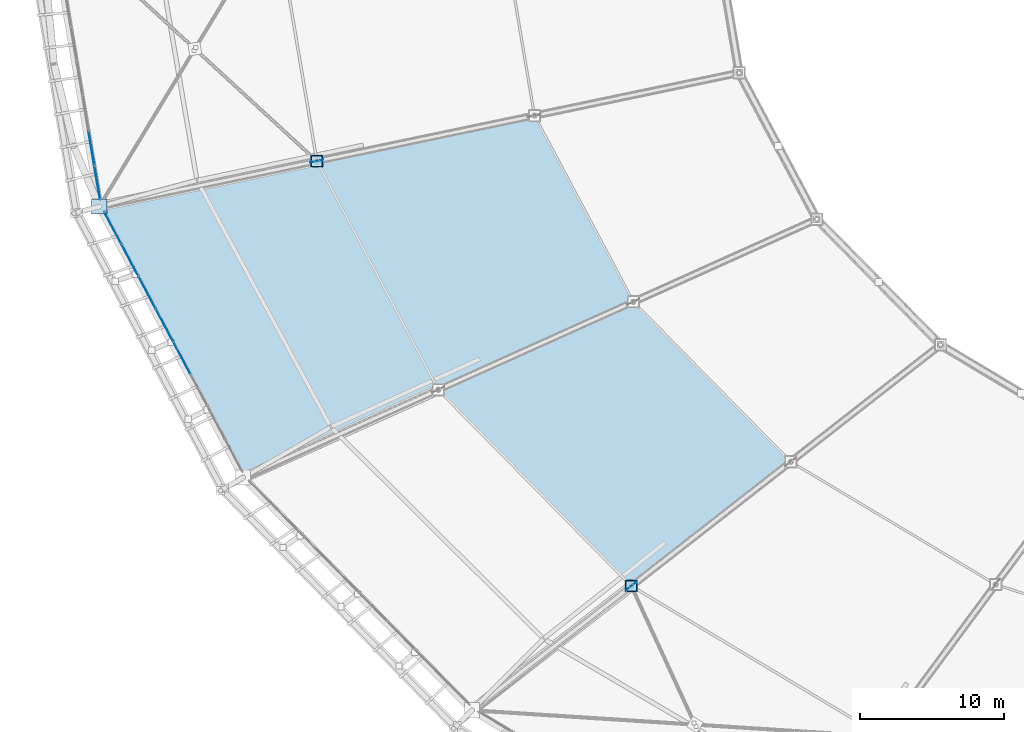
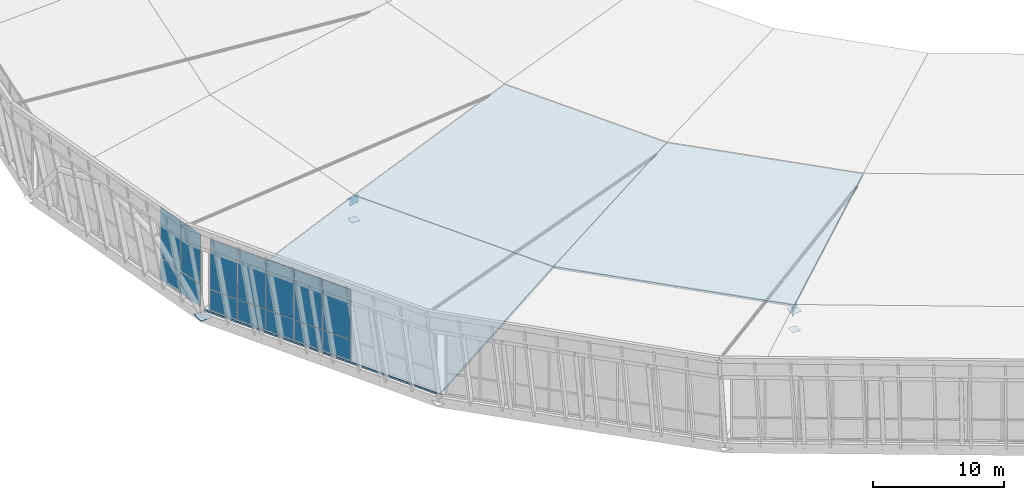
# One storey, part 80 of 115: 21 plates, 3 slabs, 3 elements without a shape of their own.
"""IFC4 building model written with IfcOpenShell, lengths in metres."""

from ifc_helpers import new_model, si_unit, direction, frame, origin, origin_2d, place, context, subcontext, project, spatial, polyline, rectangle, outline, extrude, material, layer, layer_set, type_object, element, aggregate, save


model = new_model("IFC4")

# Units and contexts
model_context = context("Model", 3, precision=1e-05, world=origin(), true_north=direction((0.0, 1.0)))
body_context = subcontext(model_context, "Body", "Model", "MODEL_VIEW")
ifc_project = project(units=[si_unit("LENGTHUNIT", "METRE"), si_unit("AREAUNIT", "SQUARE_METRE"), si_unit("VOLUMEUNIT", "CUBIC_METRE"), si_unit("PLANEANGLEUNIT", "RADIAN"), si_unit("MASSUNIT", "GRAM", prefix="KILO")], contexts=[model_context])

# Site, building, storey
site_placement = place(None, origin())
site = spatial("IfcSite", under=ifc_project, at=site_placement, CompositionType="ELEMENT")
building_placement = place(site_placement, origin())
building = spatial("IfcBuilding", under=site, at=building_placement, Name="Zlatoyarsky Gate Stadium", CompositionType="ELEMENT")
storey_placement = place(building_placement, frame((0.0, 0.0, 31.800048828125)))
storey = spatial("IfcBuildingStorey", under=building, at=storey_placement, Name="RF", CompositionType="ELEMENT", Elevation=31.800048828125)

# Curtain wall, plates
ifc_material_1 = material(Name="Thermally broken anodised aluminium curtain wall", Category="aluminium")
curtain_wall_type_1 = type_object("IfcCurtainWallType", Name="MONUMENTAL ARCHED GATE GLAZING UPPER", PredefinedType="USERDEFINED", material=ifc_material_1)
curtain_wall_1_placement = place(storey_placement, origin())
curtain_wall_1 = element("IfcCurtainWall", 1, at=curtain_wall_1_placement, inside=storey, type_object=curtain_wall_type_1, Name="Curtain wall CW-RF-12", ObjectType="ARCHED GATE GLAZING", PredefinedType="USERDEFINED")
ifc_material_2 = material(Name="Triple-glazed argon low-e architectural glass", Category="glass")
ifc_layer_1 = layer(ifc_material_2, 0.0458984375)
ifc_layer_set_1 = layer_set([ifc_layer_1], Name="Triple-glazed argon low-e architectural glass")
plate_type_1 = type_object("IfcPlateType", Name="ACOUSTIC LAMINATED GATE GLAZING PANEL 46", PredefinedType="CURTAIN_PANEL", material=ifc_layer_set_1)
plate_1_placement = place(storey_placement, frame((13.836181640625, 63.867431640625, 0.074951171875), z_axis=(0.0, 0.0, 1.0), x_axis=(0.166482179311, -0.986044463486, 0.0)))
plate_1 = element("IfcPlate", 2, at=plate_1_placement, type_object=plate_type_1, Name="CW-AG2 panel 7.1", PredefinedType="CURTAIN_PANEL", context=body_context, shape_type="SweptSolid", body=[
    extrude(rectangle(XDim=2.380615234375, YDim=0.0458984375, at=origin_2d()), origin(), (0.0, 0.0, 1.0), 2.03759765625),
])
plate_2_placement = place(storey_placement, frame((13.836181640625, 63.867431640625, 2.1875), z_axis=(0.0, 0.0, 1.0), x_axis=(0.166482179311, -0.986044463486, 0.0)))
plate_2 = element("IfcPlate", 3, at=plate_2_placement, type_object=plate_type_1, Name="CW-AG2 panel 7.2", PredefinedType="CURTAIN_PANEL", context=body_context, shape_type="SweptSolid", body=[
    extrude(rectangle(XDim=2.380615234375, YDim=0.0458984375, at=origin_2d()), origin(), (0.0, 0.0, 1.0), 4.637451171875),
])
plate_3_placement = place(storey_placement, frame((14.241943359375, 61.464599609375, 0.074951171875), z_axis=(0.0, 0.0, 1.0), x_axis=(0.166482179311, -0.986044463486, 0.0)))
plate_3 = element("IfcPlate", 4, at=plate_3_placement, type_object=plate_type_1, Name="CW-AG2 panel 8.1", PredefinedType="CURTAIN_PANEL", context=body_context, shape_type="SweptSolid", body=[
    extrude(rectangle(XDim=2.343017578125, YDim=0.0458984375, at=origin_2d()), origin(), (0.0, 0.0, 1.0), 2.03759765625),
])
plate_4_placement = place(storey_placement, frame((14.241943359375, 61.464599609375, 2.1875), z_axis=(0.0, 0.0, 1.0), x_axis=(0.166482179311, -0.986044463486, 0.0)))
plate_4 = element("IfcPlate", 5, at=plate_4_placement, type_object=plate_type_1, Name="CW-AG2 panel 8.2", PredefinedType="CURTAIN_PANEL", context=body_context, shape_type="SweptSolid", body=[
    extrude(rectangle(XDim=2.343017578125, YDim=0.0458984375, at=origin_2d()), origin(), (0.0, 0.0, 1.0), 4.637451171875),
])
aggregate(curtain_wall_1, [plate_1, plate_2, plate_3, plate_4])

# Roof, slabs
ifc_material_3 = material(Name="Standing-seam aluminium-zinc roofing with mineral wool insulation", Category="aluminium")
ifc_layer_2 = layer(ifc_material_3, 0.080078125)
ifc_layer_set_2 = layer_set([ifc_layer_2], Name="Standing-seam aluminium-zinc roofing with mineral wool insulation")
roof_type = type_object("IfcRoofType", Name="STADIUM BARREL VAULT ROOF ASSEMBLY", PredefinedType="BARREL_ROOF", material=ifc_layer_set_2)
roof_placement = place(storey_placement, origin())
roof = element("IfcRoof", 6, at=roof_placement, inside=storey, type_object=roof_type, Name="Stadium barrel arch roof sector 5", PredefinedType="BARREL_ROOF")
ifc_material_4 = material(Name="Concrete C40/50", Category="concrete")
ifc_layer_3 = layer(ifc_material_4, 0.199951171875)
ifc_layer_set_3 = layer_set([ifc_layer_3], Name="Concrete C40/50")
slab_type = type_object("IfcSlabType", Name="COMPOSITE STADIUM ROOF DECK SLAB 200", PredefinedType="ROOF", material=ifc_layer_set_3)
slab_1_placement = place(storey_placement, frame((14.380859375, 59.804931640625, 0.199951171875), z_axis=(-0.197393520935, -0.104815476231, 0.974704834212), x_axis=(0.468978328534, -0.8832096735, -7.78726e-07)))
slab_1 = element("IfcSlab", 7, at=slab_1_placement, type_object=slab_type, Name="Stadium arched roof deck sector 13 bay 1", PredefinedType="ROOF", context=body_context, shape_type="SweptSolid", body=[
    extrude(outline(polyline([(0.0, 0.0), (21.30733667960491, -3.552713678800501e-15), (22.272037155518145, 15.212437205781285), (4.297197083498218, 15.212300335087063), (0.0, 0.0)])), origin(), (0.0, 0.0, -1.0), 0.199951171875),
])
slab_2_placement = place(storey_placement, frame((29.491943359375, 62.96337890625, 3.599853515625), z_axis=(-0.183541042483, -0.097459660481, 0.97816885061), x_axis=(0.46898487922, -0.883206195099, 1.019999e-06)))
slab_2 = element("IfcSlab", 8, at=slab_2_placement, type_object=slab_type, Name="Stadium arched roof deck sector 13 bay 2", PredefinedType="ROOF", context=body_context, shape_type="SweptSolid", body=[
    extrude(outline(polyline([(0.0, 0.0), (17.97484007253932, 0.0), (18.939656384642074, 15.15856553760574), (4.297211790298488, 15.158725632562989), (0.0, 0.0)])), origin(), (0.0, 0.0, -1.0), 0.199951171875),
])
slab_3_placement = place(storey_placement, frame((37.921875, 47.087890625, 3.599853515625), z_axis=(-0.157163436364, -0.154599522261, 0.975396658794), x_axis=(0.701267503741, -0.712898231304, -1.1819e-07)))
slab_3 = element("IfcSlab", 9, at=slab_3_placement, type_object=slab_type, Name="Stadium arched roof deck sector 14 bay 2", PredefinedType="ROOF", context=body_context, shape_type="SweptSolid", body=[
    extrude(outline(polyline([(0.0, 0.0), (19.122740669748183, 0.0), (20.72863479855162, 14.289166108712909), (5.151042927889645, 14.289147505340267), (0.0, 0.0)])), origin(), (0.0, 0.0, -1.0), 0.199951171875),
])
aggregate(roof, [slab_1, slab_2, slab_3])

# Plates
ifc_material_5 = material(Name="Steel S355", Category="steel")
ifc_layer_4 = layer(ifc_material_5, 0.02392578125)
ifc_layer_set_4 = layer_set([ifc_layer_4], Name="Steel S355")
plate_type_2 = type_object("IfcPlateType", Name="STEEL COMPRESSION RING NODE CAP SHEET 24", PredefinedType="SHEET", material=ifc_layer_set_4)
plate_5_placement = place(storey_placement, frame((14.380859375, 59.804931640625, -0.4619140625), z_axis=(0.0, 0.0, 1.0), x_axis=(1.0, 0.0, 0.0)))
element("IfcPlate", 10, at=plate_5_placement, inside=storey, type_object=plate_type_2, Name="Node closure plate ND-CR1 NCAP-CR-13", PredefinedType="SHEET", context=body_context, shape_type="SweptSolid", body=[
    extrude(rectangle(XDim=1.050048828125, YDim=1.050048828125, at=origin_2d()), origin(), (0.0, 0.0, 1.0), 0.02392578125),
])
ifc_layer_5 = layer(ifc_material_5, 0.02392578125)
ifc_layer_set_5 = layer_set([ifc_layer_5], Name="Steel S355")
plate_type_3 = type_object("IfcPlateType", Name="STEEL HOLLOW CHORD SPLICE SHEET 24", PredefinedType="SHEET", material=ifc_layer_set_5)
plate_6_placement = place(storey_placement, frame((29.491943359375, 62.96337890625, 3.137939453125), z_axis=(0.0, 0.0, 1.0), x_axis=(1.0, 0.0, 0.0)))
element("IfcPlate", 11, at=plate_6_placement, inside=storey, type_object=plate_type_3, Name="Node closure plate ND-SP1 NCAP-TCH-13-1", PredefinedType="SHEET", context=body_context, shape_type="SweptSolid", body=[
    extrude(rectangle(XDim=0.85009765625, YDim=0.85009765625, at=origin_2d()), origin(), (0.0, 0.0, 1.0), 0.02392578125),
])
plate_7_placement = place(storey_placement, frame((29.491943359375, 62.96337890625, 1.337890625), z_axis=(0.0, 0.0, 1.0), x_axis=(1.0, 0.0, 0.0)))
element("IfcPlate", 12, at=plate_7_placement, inside=storey, type_object=plate_type_3, Name="Node closure plate ND-SP1 NCAP-BCH-13-1", PredefinedType="SHEET", context=body_context, shape_type="SweptSolid", body=[
    extrude(rectangle(XDim=0.719970703125, YDim=0.719970703125, at=origin_2d()), origin(), (0.0, 0.0, 1.0), 0.02392578125),
])
plate_8_placement = place(storey_placement, frame((51.33203125, 33.455322265625, 3.137939453125), z_axis=(0.0, 0.0, 1.0), x_axis=(1.0, 0.0, 0.0)))
element("IfcPlate", 13, at=plate_8_placement, inside=storey, type_object=plate_type_3, Name="Node closure plate ND-SP1 NCAP-TCH-15-1", PredefinedType="SHEET", context=body_context, shape_type="SweptSolid", body=[
    extrude(rectangle(XDim=0.85009765625, YDim=0.85009765625, at=origin_2d()), origin(), (0.0, 0.0, 1.0), 0.02392578125),
])
plate_9_placement = place(storey_placement, frame((51.33203125, 33.455322265625, 1.337890625), z_axis=(0.0, 0.0, 1.0), x_axis=(1.0, 0.0, 0.0)))
element("IfcPlate", 14, at=plate_9_placement, inside=storey, type_object=plate_type_3, Name="Node closure plate ND-SP1 NCAP-BCH-15-1", PredefinedType="SHEET", context=body_context, shape_type="SweptSolid", body=[
    extrude(rectangle(XDim=0.719970703125, YDim=0.719970703125, at=origin_2d()), origin(), (0.0, 0.0, 1.0), 0.02392578125),
])
ifc_layer_6 = layer(ifc_material_5, 0.031982421875)
ifc_layer_set_6 = layer_set([ifc_layer_6], Name="Steel S355")
plate_type_4 = type_object("IfcPlateType", Name="STEEL RADIAL TRUSS GUSSET PLATE 32", PredefinedType="USERDEFINED", material=ifc_layer_set_6)
for number, where, z_axis, x_axis, name in (
    (15, (29.491943359375, 62.96337890625, 2.7900390625), (0.0, 0.0, 1.0), (0.97884666261, 0.204595237232, 0.0), "Radial truss gusset plate ND-WB1 13.1"),
    (16, (51.33203125, 33.455322265625, 2.7900390625), (0.0, 0.0, 1.0), (0.788479093296, 0.615061557436, 0.0), "Radial truss gusset plate ND-WB1 15.1"),
):
    element("IfcPlate", number, at=place(storey_placement, frame(where, z_axis=z_axis, x_axis=x_axis)), inside=storey, type_object=plate_type_4, Name=name, ObjectType="GUSSET PLATE", PredefinedType="USERDEFINED", context=body_context, shape_type="SweptSolid", body=[
        extrude(rectangle(XDim=0.919921875, YDim=0.031982421875, at=origin_2d()), origin(), (0.0, 0.0, 1.0), 0.719970703125),
    ])

# Curtain wall, plates
curtain_wall_type_2 = type_object("IfcCurtainWallType", Name="UNITISED SKYBOX RING GLAZING L05", PredefinedType="USERDEFINED", material=ifc_material_1)
curtain_wall_2_placement = place(storey_placement, origin())
curtain_wall_2 = element("IfcCurtainWall", 17, at=curtain_wall_2_placement, inside=storey, type_object=curtain_wall_type_2, Name="Curtain wall CW-RF-13", ObjectType="UNITISED GLAZING", PredefinedType="USERDEFINED")
ifc_layer_7 = layer(ifc_material_2, 0.0380859375)
ifc_layer_set_7 = layer_set([ifc_layer_7], Name="Triple-glazed argon low-e architectural glass")
plate_type_5 = type_object("IfcPlateType", Name="TRIPLE GLAZED LOW E CURTAIN PANEL 38", PredefinedType="CURTAIN_PANEL", material=ifc_layer_set_7)
plate_10_placement = place(storey_placement, frame((15.3115234375, 58.34375, 0.06494140625), z_axis=(0.0, 0.0, 1.0), x_axis=(0.469126652345, -0.883130898599, 0.0)))
plate_10 = element("IfcPlate", 18, at=plate_10_placement, type_object=plate_type_5, Name="CW-UG5 panel 1.1", PredefinedType="CURTAIN_PANEL", context=body_context, shape_type="SweptSolid", body=[
    extrude(rectangle(XDim=2.46142578125, YDim=0.0380859375, at=origin_2d()), origin(), (0.0, 0.0, 1.0), 2.052490234375),
])
plate_11_placement = place(storey_placement, frame((15.3115234375, 58.34375, 2.1826171875), z_axis=(0.0, 0.0, 1.0), x_axis=(0.469126652345, -0.883130898599, 0.0)))
plate_11 = element("IfcPlate", 19, at=plate_11_placement, type_object=plate_type_5, Name="CW-UG5 panel 1.2", PredefinedType="CURTAIN_PANEL", context=body_context, shape_type="SweptSolid", body=[
    extrude(rectangle(XDim=2.46142578125, YDim=0.0380859375, at=origin_2d()), origin(), (0.0, 0.0, 1.0), 4.652587890625),
])
plate_12_placement = place(storey_placement, frame((16.50439453125, 56.09814453125, 0.06494140625), z_axis=(0.0, 0.0, 1.0), x_axis=(0.469126652345, -0.883130898599, 0.0)))
plate_12 = element("IfcPlate", 20, at=plate_12_placement, type_object=plate_type_5, Name="CW-UG5 panel 2.1", PredefinedType="CURTAIN_PANEL", context=body_context, shape_type="SweptSolid", body=[
    extrude(rectangle(XDim=2.493896484375, YDim=0.0380859375, at=origin_2d()), origin(), (0.0, 0.0, 1.0), 2.052490234375),
])
plate_13_placement = place(storey_placement, frame((16.50439453125, 56.09814453125, 2.1826171875), z_axis=(0.0, 0.0, 1.0), x_axis=(0.469126652345, -0.883130898599, 0.0)))
plate_13 = element("IfcPlate", 21, at=plate_13_placement, type_object=plate_type_5, Name="CW-UG5 panel 2.2", PredefinedType="CURTAIN_PANEL", context=body_context, shape_type="SweptSolid", body=[
    extrude(rectangle(XDim=2.493896484375, YDim=0.0380859375, at=origin_2d()), origin(), (0.0, 0.0, 1.0), 4.652587890625),
])
plate_14_placement = place(storey_placement, frame((17.704833984375, 53.83837890625, 0.06494140625), z_axis=(0.0, 0.0, 1.0), x_axis=(0.469126652345, -0.883130898599, 0.0)))
plate_14 = element("IfcPlate", 22, at=plate_14_placement, type_object=plate_type_5, Name="CW-UG5 panel 3.1", PredefinedType="CURTAIN_PANEL", context=body_context, shape_type="SweptSolid", body=[
    extrude(rectangle(XDim=2.493896484375, YDim=0.0380859375, at=origin_2d()), origin(), (0.0, 0.0, 1.0), 2.052490234375),
])
plate_15_placement = place(storey_placement, frame((17.704833984375, 53.83837890625, 2.1826171875), z_axis=(0.0, 0.0, 1.0), x_axis=(0.469126652345, -0.883130898599, 0.0)))
plate_15 = element("IfcPlate", 23, at=plate_15_placement, type_object=plate_type_5, Name="CW-UG5 panel 3.2", PredefinedType="CURTAIN_PANEL", context=body_context, shape_type="SweptSolid", body=[
    extrude(rectangle(XDim=2.493896484375, YDim=0.0380859375, at=origin_2d()), origin(), (0.0, 0.0, 1.0), 4.652587890625),
])
plate_16_placement = place(storey_placement, frame((18.9052734375, 51.57861328125, 0.06494140625), z_axis=(0.0, 0.0, 1.0), x_axis=(0.469126652345, -0.883130898599, 0.0)))
plate_16 = element("IfcPlate", 24, at=plate_16_placement, type_object=plate_type_5, Name="CW-UG5 panel 4.1", PredefinedType="CURTAIN_PANEL", context=body_context, shape_type="SweptSolid", body=[
    extrude(rectangle(XDim=2.493896484375, YDim=0.0380859375, at=origin_2d()), origin(), (0.0, 0.0, 1.0), 2.052490234375),
])
plate_17_placement = place(storey_placement, frame((18.9052734375, 51.57861328125, 2.1826171875), z_axis=(0.0, 0.0, 1.0), x_axis=(0.469126652345, -0.883130898599, 0.0)))
plate_17 = element("IfcPlate", 25, at=plate_17_placement, type_object=plate_type_5, Name="CW-UG5 panel 4.2", PredefinedType="CURTAIN_PANEL", context=body_context, shape_type="SweptSolid", body=[
    extrude(rectangle(XDim=2.493896484375, YDim=0.0380859375, at=origin_2d()), origin(), (0.0, 0.0, 1.0), 4.652587890625),
])
plate_18_placement = place(storey_placement, frame((20.105712890625, 49.31884765625, 0.06494140625), z_axis=(0.0, 0.0, 1.0), x_axis=(0.469126652345, -0.883130898599, 0.0)))
plate_18 = element("IfcPlate", 26, at=plate_18_placement, type_object=plate_type_5, Name="CW-UG5 panel 5.1", PredefinedType="CURTAIN_PANEL", context=body_context, shape_type="SweptSolid", body=[
    extrude(rectangle(XDim=2.493896484375, YDim=0.0380859375, at=origin_2d()), origin(), (0.0, 0.0, 1.0), 2.052490234375),
])
plate_19_placement = place(storey_placement, frame((20.105712890625, 49.31884765625, 2.1826171875), z_axis=(0.0, 0.0, 1.0), x_axis=(0.469126652345, -0.883130898599, 0.0)))
plate_19 = element("IfcPlate", 27, at=plate_19_placement, type_object=plate_type_5, Name="CW-UG5 panel 5.2", PredefinedType="CURTAIN_PANEL", context=body_context, shape_type="SweptSolid", body=[
    extrude(rectangle(XDim=2.493896484375, YDim=0.0380859375, at=origin_2d()), origin(), (0.0, 0.0, 1.0), 4.652587890625),
])
aggregate(curtain_wall_2, [plate_10, plate_11, plate_12, plate_13, plate_14, plate_15, plate_16, plate_17, plate_18, plate_19])

save(model, "model.ifc")
